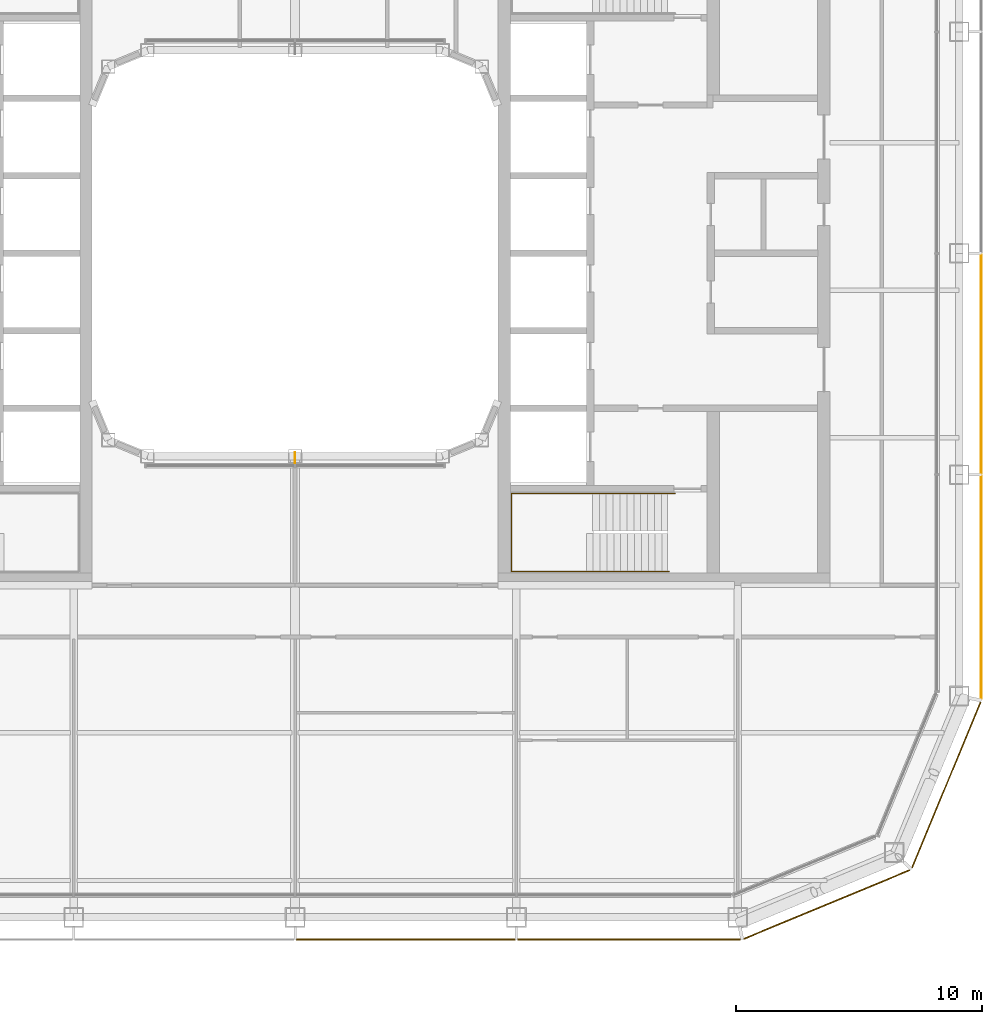
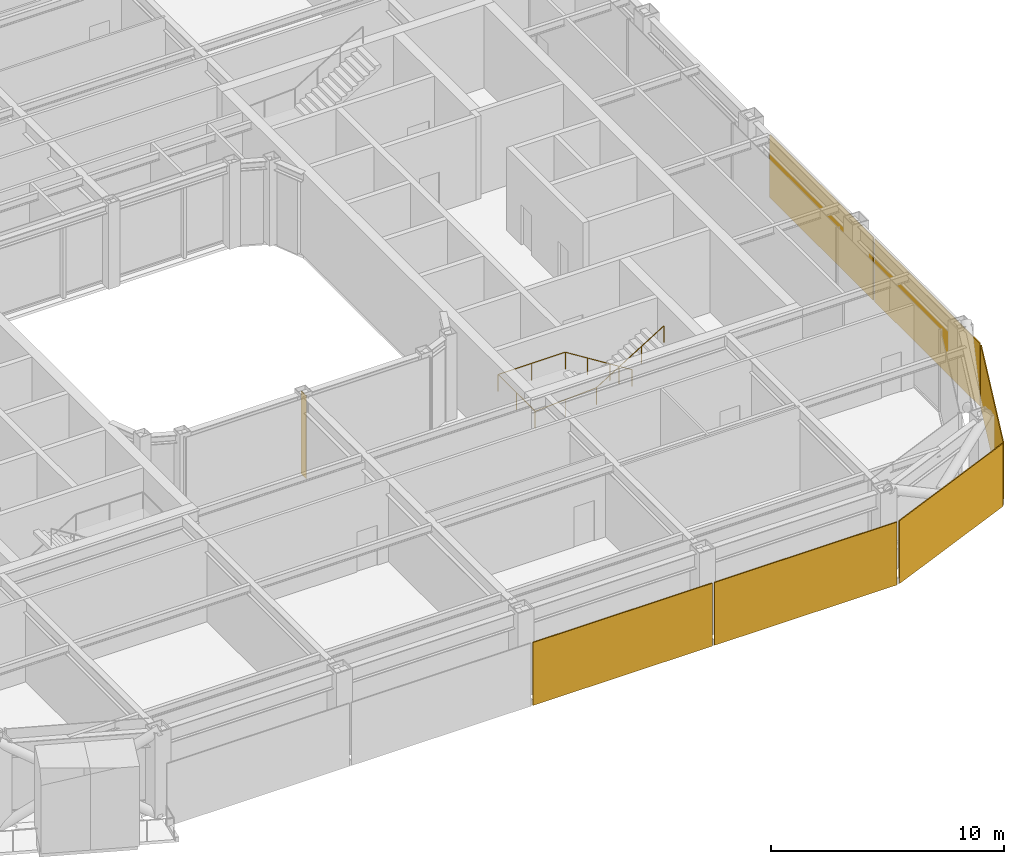
# One storey, part 20 of 23: 6 coverings, 1 railing, 1 shading device.
"""IFC4 building model written with IfcOpenShell, lengths in metres."""

from ifc_helpers import new_model, si_unit, direction, frame, origin, origin_2d, place, context, subcontext, project, spatial, rectangle, circle, extrude, material, layer, layer_set, type_object, element, save


model = new_model("IFC4")

# Units and contexts
model_context = context("Model", 3, precision=1e-05, world=origin(), true_north=direction((0.0, 1.0)))
body_context = subcontext(model_context, "Body", "Model", "MODEL_VIEW")
ifc_project = project(units=[si_unit("LENGTHUNIT", "METRE"), si_unit("AREAUNIT", "SQUARE_METRE"), si_unit("VOLUMEUNIT", "CUBIC_METRE"), si_unit("PLANEANGLEUNIT", "RADIAN"), si_unit("MASSUNIT", "GRAM", prefix="KILO")], contexts=[model_context])

# Site, building, storey
site_placement = place(None, origin())
site = spatial("IfcSite", under=ifc_project, at=site_placement, CompositionType="ELEMENT")
building_placement = place(site_placement, origin())
building = spatial("IfcBuilding", under=site, at=building_placement, Name="Siwar Civic Tower", CompositionType="ELEMENT")
storey_placement = place(building_placement, frame((0.0, 0.0, 269.199951171875)))
storey = spatial("IfcBuildingStorey", under=building, at=storey_placement, Name="L58", CompositionType="ELEMENT", Elevation=269.199951171875)

# Railing
ifc_material_1 = material(Name="Stainless steel", Category="steel")
railing_type = type_object("IfcRailingType", Name="CORE-STAIR-HANDRAIL", PredefinedType="HANDRAIL", material=ifc_material_1)
railing_placement = place(storey_placement, frame((15.449951171875, -9.758056640625, 0.173095703125)))
element("IfcRailing", 1, at=railing_placement, inside=storey, type_object=railing_type, Name="Stair handrail ST4", PredefinedType="HANDRAIL", context=body_context, shape_type="SweptSolid", body=[
    extrude(circle(Radius=0.02001953125, at=origin_2d()), frame((0.0, 0.0, 0.8798828125), z_axis=(-0.847063342986, 0.0, 0.531491950051), x_axis=(0.0, -1.0, 0.0)), (0.0, 0.0, 1.0), 3.90771484375),
    extrude(circle(Radius=0.02001953125, at=origin_2d()), frame((-3.31005859375, 0.0, 2.956787109375), z_axis=(-1.0, 0.0, 0.0), x_axis=(0.0, -1.0, 0.0)), (0.0, 0.0, 1.0), 3.331787109375),
    extrude(circle(Radius=0.02001953125, at=origin_2d()), frame((-6.641845703125, 0.0, 2.956787109375), z_axis=(0.0, -1.0, 0.0), x_axis=(1.0, 0.0, 0.0)), (0.0, 0.0, 1.0), 3.183837890625),
    extrude(circle(Radius=0.02001953125, at=origin_2d()), frame((-6.641845703125, -3.183837890625, 2.956787109375), z_axis=(0.99837434197, 0.0, 0.056997134106), x_axis=(0.0, 1.0, 0.0)), (0.0, 0.0, 1.0), 3.036865234375),
    extrude(circle(Radius=0.02001953125, at=origin_2d()), frame((-3.60986328125, -3.183837890625, 3.1298828125), z_axis=(0.850606129759, 0.0, 0.525803396734), x_axis=(0.0, 1.0, 0.0)), (0.0, 0.0, 1.0), 3.949951171875),
    extrude(circle(Radius=0.02001953125, at=origin_2d()), origin(), (0.0, 0.0, 1.0), 0.85986328125),
    extrude(circle(Radius=0.02001953125, at=origin_2d()), frame((-1.103271484375, 0.0, 0.6923828125)), (0.0, 0.0, 1.0), 0.85986328125),
    extrude(circle(Radius=0.02001953125, at=origin_2d()), frame((-2.206787109375, 0.0, 1.384521484375)), (0.0, 0.0, 1.0), 0.85986328125),
    extrude(circle(Radius=0.02001953125, at=origin_2d()), frame((-3.31005859375, 0.0, 2.076904296875)), (0.0, 0.0, 1.0), 0.85986328125),
    extrude(circle(Radius=0.02001953125, at=origin_2d()), frame((-4.97607421875, 0.0, 2.076904296875)), (0.0, 0.0, 1.0), 0.85986328125),
    extrude(circle(Radius=0.02001953125, at=origin_2d()), frame((-6.641845703125, 0.0, 2.076904296875)), (0.0, 0.0, 1.0), 0.85986328125),
    extrude(circle(Radius=0.02001953125, at=origin_2d()), frame((-6.641845703125, -1.591796875, 2.076904296875)), (0.0, 0.0, 1.0), 0.85986328125),
    extrude(circle(Radius=0.02001953125, at=origin_2d()), frame((-6.641845703125, -3.183837890625, 2.076904296875)), (0.0, 0.0, 1.0), 0.85986328125),
    extrude(circle(Radius=0.02001953125, at=origin_2d()), frame((-5.1259765625, -3.183837890625, 2.16357421875)), (0.0, 0.0, 1.0), 0.85986328125),
    extrude(circle(Radius=0.02001953125, at=origin_2d()), frame((-3.60986328125, -3.183837890625, 2.25)), (0.0, 0.0, 1.0), 0.85986328125),
    extrude(circle(Radius=0.02001953125, at=origin_2d()), frame((-2.489990234375, -3.183837890625, 2.9423828125)), (0.0, 0.0, 1.0), 0.85986328125),
    extrude(circle(Radius=0.02001953125, at=origin_2d()), frame((-1.369873046875, -3.183837890625, 3.634521484375)), (0.0, 0.0, 1.0), 0.85986328125),
    extrude(circle(Radius=0.02001953125, at=origin_2d()), frame((-0.25, -3.183837890625, 4.326904296875)), (0.0, 0.0, 1.0), 0.85986328125),
])

# Shading device
ifc_material_2 = material(Name="Aluminium 6063-T6", Category="aluminium")
ifc_layer_1 = layer(ifc_material_2, 0.02001953125)
ifc_layer_set_1 = layer_set([ifc_layer_1], Name="Aluminium 6063-T6")
shading_device_type = type_object("IfcShadingDeviceType", Name="ENV-FIN", PredefinedType="JALOUSIE", material=ifc_layer_set_1)
shading_device_placement = place(storey_placement, frame((0.0, -8.320068359375, 0.0), z_axis=(0.0, 0.0, 1.0), x_axis=(1.0, 0.0, 0.0)))
element("IfcShadingDevice", 2, at=shading_device_placement, inside=storey, type_object=shading_device_type, Name="SUNSHADE fin WS 1", PredefinedType="JALOUSIE", context=body_context, shape_type="SweptSolid", body=[
    extrude(rectangle(XDim=0.02001953125, YDim=0.449951171875, at=origin_2d()), origin(), (0.0, 0.0, 1.0), 4.35009765625),
])

# Coverings
ifc_material_3 = material(Name="Perforated aluminium cassette, pale metal", Category="aluminium")
ifc_layer_2 = layer(ifc_material_3, 0.0400390625)
ifc_layer_set_2 = layer_set([ifc_layer_2], Name="Perforated aluminium cassette, pale metal")
covering_type_1 = type_object("IfcCoveringType", Name="ENV-OUTER SKIN OS-1", PredefinedType="CLADDING", material=ifc_layer_set_2)
covering_1_placement = place(storey_placement, frame((27.89990234375, -13.57958984375, -0.14990234375), z_axis=(0.0, 0.0, 1.0), x_axis=(0.0, 1.0, 0.0)))
element("IfcCovering", 3, at=covering_1_placement, inside=storey, type_object=covering_type_1, Name="OUTER SKIN OS-1 E 1", PredefinedType="CLADDING", context=body_context, shape_type="SweptSolid", body=[
    extrude(rectangle(XDim=9.05908203125, YDim=0.0400390625, at=origin_2d()), origin(), (0.0, 0.0, 1.0), 3.300048828125),
])
covering_2_placement = place(storey_placement, frame((27.89990234375, -4.5, -0.14990234375), z_axis=(0.0, 0.0, 1.0), x_axis=(0.0, 1.0, 0.0)))
element("IfcCovering", 4, at=covering_2_placement, inside=storey, type_object=covering_type_1, Name="OUTER SKIN OS-1 E 2", PredefinedType="CLADDING", context=body_context, shape_type="SweptSolid", body=[
    extrude(rectangle(XDim=8.89990234375, YDim=0.0400390625, at=origin_2d()), origin(), (0.0, 0.0, 1.0), 3.300048828125),
])
ifc_material_4 = material(Name="Perforated aluminium cassette, pale metal", Category="aluminium")
ifc_layer_3 = layer(ifc_material_4, 0.044921875)
ifc_layer_set_3 = layer_set([ifc_layer_3], Name="Perforated aluminium cassette, pale metal")
covering_type_2 = type_object("IfcCoveringType", Name="ENV-OUTER SKIN OS-2", PredefinedType="CLADDING", material=ifc_layer_set_3)
covering_3_placement = place(storey_placement, frame((26.476318359375, -21.615966796875, -0.14990234375), z_axis=(0.0, 0.0, 1.0), x_axis=(0.382683432365, 0.923879532511, 0.0)))
element("IfcCovering", 5, at=covering_3_placement, inside=storey, type_object=covering_type_2, Name="OUTER SKIN OS-2 SE2 1", PredefinedType="CLADDING", context=body_context, shape_type="SweptSolid", body=[
    extrude(rectangle(XDim=7.300048828125, YDim=0.044921875, at=origin_2d()), origin(), (0.0, 0.0, 1.0), 3.300048828125),
])
ifc_material_5 = material(Name="Perforated aluminium cassette, pale metal", Category="aluminium")
ifc_layer_4 = layer(ifc_material_5, 0.050048828125)
ifc_layer_set_4 = layer_set([ifc_layer_4], Name="Perforated aluminium cassette, pale metal")
covering_type_3 = type_object("IfcCoveringType", Name="ENV-OUTER SKIN OS-3", PredefinedType="CLADDING", material=ifc_layer_set_4)
covering_4_placement = place(storey_placement, frame((21.615966796875, -26.476318359375, -0.14990234375), z_axis=(0.0, 0.0, 1.0), x_axis=(0.923879532511, 0.382683432365, 0.0)))
element("IfcCovering", 6, at=covering_4_placement, inside=storey, type_object=covering_type_3, Name="OUTER SKIN OS-3 SE1 1", PredefinedType="CLADDING", context=body_context, shape_type="SweptSolid", body=[
    extrude(rectangle(XDim=7.300048828125, YDim=0.050048828125, at=origin_2d()), origin(), (0.0, 0.0, 1.0), 3.300048828125),
])
ifc_material_6 = material(Name="Perforated aluminium cassette, pale metal", Category="aluminium")
ifc_layer_5 = layer(ifc_material_6, 0.054931640625)
ifc_layer_set_5 = layer_set([ifc_layer_5], Name="Perforated aluminium cassette, pale metal")
covering_type_4 = type_object("IfcCoveringType", Name="ENV-OUTER SKIN OS-4", PredefinedType="CLADDING", material=ifc_layer_set_5)
covering_5_placement = place(storey_placement, frame((4.5, -27.89990234375, -0.14990234375), z_axis=(0.0, 0.0, 1.0), x_axis=(1.0, 0.0, 0.0)))
element("IfcCovering", 7, at=covering_5_placement, inside=storey, type_object=covering_type_4, Name="OUTER SKIN OS-4 S 3", PredefinedType="CLADDING", context=body_context, shape_type="SweptSolid", body=[
    extrude(rectangle(XDim=8.89990234375, YDim=0.054931640625, at=origin_2d()), origin(), (0.0, 0.0, 1.0), 3.300048828125),
])
covering_6_placement = place(storey_placement, frame((13.57958984375, -27.89990234375, -0.14990234375), z_axis=(0.0, 0.0, 1.0), x_axis=(1.0, 0.0, 0.0)))
element("IfcCovering", 8, at=covering_6_placement, inside=storey, type_object=covering_type_4, Name="OUTER SKIN OS-4 S 4", PredefinedType="CLADDING", context=body_context, shape_type="SweptSolid", body=[
    extrude(rectangle(XDim=9.05908203125, YDim=0.054931640625, at=origin_2d()), origin(), (0.0, 0.0, 1.0), 3.300048828125),
])

save(model, "model.ifc")
